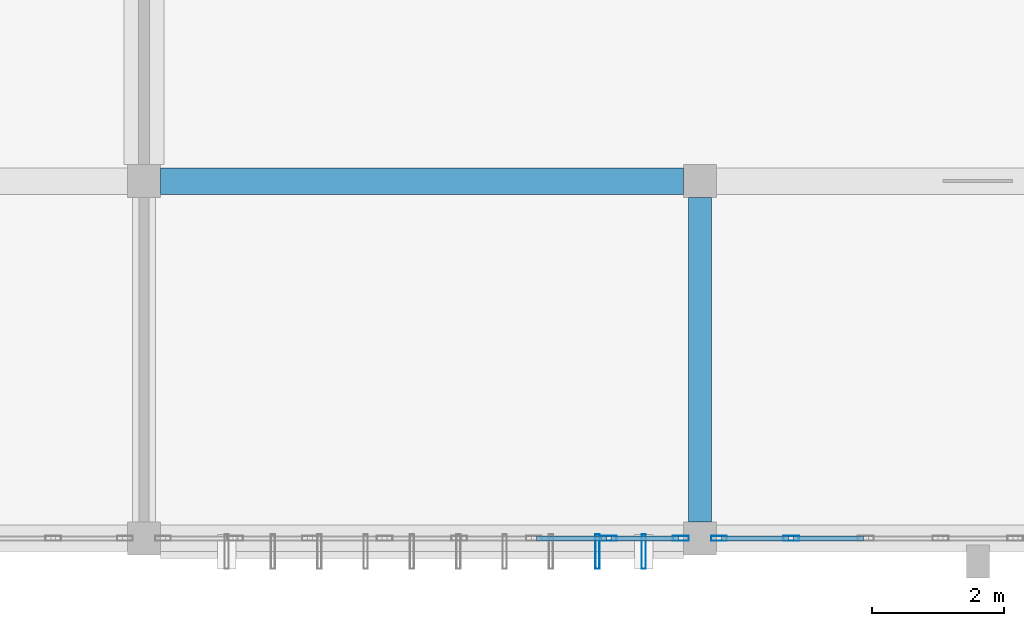
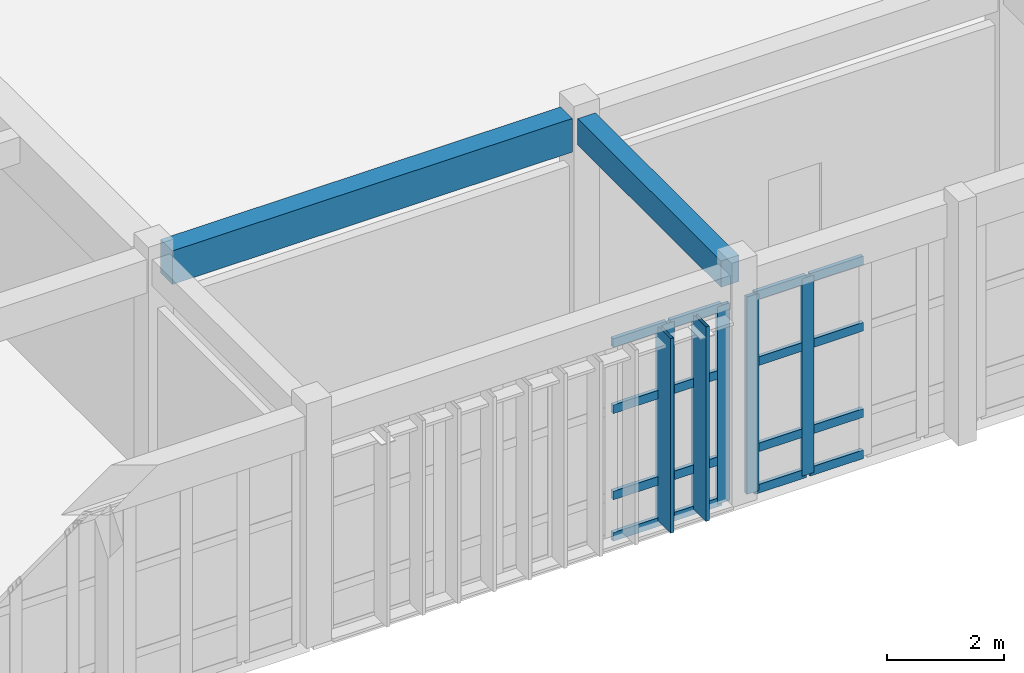
# One storey, part 28 of 93: 22 members, 2 beams, 2 elements without a shape of their own.
"""IFC4 building model written with IfcOpenShell, lengths in metres."""

from ifc_helpers import new_model, si_unit, direction, frame, origin, origin_2d, place, context, subcontext, project, spatial, rectangle, hollow_rectangle, extrude, material, layer, layer_set, material_profile, profile_set, type_object, element, aggregate, save


model = new_model("IFC4")

# Units and contexts
model_context = context("Model", 3, precision=1e-05, world=origin(), true_north=direction((0.0, 1.0)))
body_context = subcontext(model_context, "Body", "Model", "MODEL_VIEW")
ifc_project = project(units=[si_unit("LENGTHUNIT", "METRE"), si_unit("AREAUNIT", "SQUARE_METRE"), si_unit("VOLUMEUNIT", "CUBIC_METRE"), si_unit("PLANEANGLEUNIT", "RADIAN"), si_unit("MASSUNIT", "GRAM", prefix="KILO")], contexts=[model_context])

# Site, building, storey
site_placement = place(None, origin())
site = spatial("IfcSite", under=ifc_project, at=site_placement, CompositionType="ELEMENT")
building_placement = place(site_placement, origin())
building = spatial("IfcBuilding", under=site, at=building_placement, Name="Krzemoval Escarpment Law Courts", CompositionType="ELEMENT")
storey_placement = place(building_placement, frame((0.0, 0.0, 10.199951171875)))
storey = spatial("IfcBuildingStorey", under=building, at=storey_placement, Name="L02", CompositionType="ELEMENT", Elevation=10.199951171875)

# Beams
ifc_material_1 = material(Name="Concrete C40/50", Category="concrete")
ifc_material_profile_1 = material_profile(ifc_material_1, rectangle(XDim=0.35009765625, YDim=0.550048828125, at=origin_2d()), Name="RCB 350x550")
ifc_profile_set_1 = profile_set([ifc_material_profile_1], Name="Concrete C40/50")
beam_type_1 = type_object("IfcBeamType", Name="BM-RC-350x550", PredefinedType="BEAM", material=ifc_profile_set_1)
beam_1_placement = place(storey_placement, frame((126.0, 0.25, 4.545166015625), z_axis=(0.0, 1.0, 0.0), x_axis=(-1.0, 0.0, 0.0)))
element("IfcBeam", 1, at=beam_1_placement, inside=storey, type_object=beam_type_1, Name="Beam FG-L02-1956", PredefinedType="BEAM", context=body_context, shape_type="SweptSolid", body=[
    extrude(rectangle(XDim=0.35009765625, YDim=0.550048828125, at=origin_2d()), origin(), (0.0, 0.0, 1.0), 4.89990234375),
])
ifc_material_2 = material(Name="Concrete C40/50", Category="concrete")
ifc_material_profile_2 = material_profile(ifc_material_2, rectangle(XDim=0.39990234375, YDim=0.699951171875, at=origin_2d()), Name="RCB 400x700")
ifc_profile_set_2 = profile_set([ifc_material_profile_2], Name="Concrete C40/50")
beam_type_2 = type_object("IfcBeamType", Name="BM-RC-400x700", PredefinedType="BEAM", material=ifc_profile_set_2)
beam_2_placement = place(storey_placement, frame((117.85009765625, 5.39990234375, 4.469970703125), z_axis=(1.0, 0.0, 0.0), x_axis=(0.0, 1.0, 0.0)))
element("IfcBeam", 2, at=beam_2_placement, inside=storey, type_object=beam_type_2, Name="Beam FG-L02-1734", PredefinedType="BEAM", context=body_context, shape_type="SweptSolid", body=[
    extrude(rectangle(XDim=0.39990234375, YDim=0.699951171875, at=origin_2d()), origin(), (0.0, 0.0, 1.0), 7.89990234375),
])

# Curtain wall, members
ifc_material_3 = material(Name="Aluminium 6063-T6", Category="aluminium")
ifc_layer = layer(ifc_material_3, 0.239990234375)
ifc_layer_set = layer_set([ifc_layer], Name="Aluminium 6063-T6")
curtain_wall_type = type_object("IfcCurtainWallType", Name="CW-LIBR-4800", PredefinedType="USERDEFINED", material=ifc_layer_set)
curtain_wall_1_placement = place(storey_placement, origin())
curtain_wall_1 = element("IfcCurtainWall", 3, at=curtain_wall_1_placement, inside=storey, type_object=curtain_wall_type, Name="Unitised Curtain Wall FCW-L02-083", ObjectType="UNITISED_CURTAIN_WALL", PredefinedType="USERDEFINED")
ifc_material_4 = material(Name="Aluminium 6063-T6", Category="aluminium")
ifc_material_profile_3 = material_profile(ifc_material_4, hollow_rectangle(XDim=0.074951171875, YDim=0.239990234375, WallThickness=0.0048828125, at=origin_2d()), Name="ALU M75x240")
ifc_profile_set_3 = profile_set([ifc_material_profile_3], Name="Aluminium 6063-T6")
member_type_1 = type_object("IfcMemberType", Name="CWM-75x240", PredefinedType="MULLION", material=ifc_profile_set_3)
member_1_placement = place(storey_placement, frame((127.378662109375, 0.0, 0.0), z_axis=(0.0, 0.0, 1.0), x_axis=(0.0, -1.0, 0.0)))
member_1 = element("IfcMember", 4, at=member_1_placement, type_object=member_type_1, Name="FCW-L02-083 mullion 7", PredefinedType="MULLION", context=body_context, shape_type="SweptSolid", body=[
    extrude(hollow_rectangle(XDim=0.074951171875, YDim=0.239990234375, WallThickness=0.0048828125, at=origin_2d()), origin(), (0.0, 0.0, 1.0), 4.1201171875),
])
member_2_placement = place(storey_placement, frame((126.28759765625, 0.0, 0.0), z_axis=(0.0, 0.0, 1.0), x_axis=(0.0, -1.0, 0.0)))
member_2 = element("IfcMember", 5, at=member_2_placement, type_object=member_type_1, Name="FCW-L02-083 mullion 8", PredefinedType="MULLION", context=body_context, shape_type="SweptSolid", body=[
    extrude(hollow_rectangle(XDim=0.074951171875, YDim=0.239990234375, WallThickness=0.0048828125, at=origin_2d()), origin(), (0.0, 0.0, 1.0), 4.1201171875),
])

curtain_wall_2_placement = place(storey_placement, origin())
curtain_wall_2 = element("IfcCurtainWall", 6, at=curtain_wall_2_placement, inside=storey, type_object=curtain_wall_type, Name="Unitised Curtain Wall FCW-L02-084", ObjectType="UNITISED_CURTAIN_WALL", PredefinedType="USERDEFINED")
member_3_placement = place(storey_placement, frame((125.71240234375, 0.0, 0.0), z_axis=(0.0, 0.0, 1.0), x_axis=(0.0, -1.0, 0.0)))
member_3 = element("IfcMember", 7, at=member_3_placement, type_object=member_type_1, Name="FCW-L02-084 mullion 1", PredefinedType="MULLION", context=body_context, shape_type="SweptSolid", body=[
    extrude(hollow_rectangle(XDim=0.074951171875, YDim=0.239990234375, WallThickness=0.0048828125, at=origin_2d()), origin(), (0.0, 0.0, 1.0), 4.1201171875),
])
member_4_placement = place(storey_placement, frame((124.621337890625, 0.0, 0.0), z_axis=(0.0, 0.0, 1.0), x_axis=(0.0, -1.0, 0.0)))
member_4 = element("IfcMember", 8, at=member_4_placement, type_object=member_type_1, Name="FCW-L02-084 mullion 2", PredefinedType="MULLION", context=body_context, shape_type="SweptSolid", body=[
    extrude(hollow_rectangle(XDim=0.074951171875, YDim=0.239990234375, WallThickness=0.0048828125, at=origin_2d()), origin(), (0.0, 0.0, 1.0), 4.1201171875),
])

# Member
ifc_material_5 = material(Name="Aluminium 6063-T6", Category="aluminium")
ifc_material_profile_4 = material_profile(ifc_material_5, hollow_rectangle(XDim=0.074951171875, YDim=0.179931640625, WallThickness=0.0048828125, at=origin_2d()), Name="ALU T75x180")
ifc_profile_set_4 = profile_set([ifc_material_profile_4], Name="Aluminium 6063-T6")
member_type_2 = type_object("IfcMemberType", Name="CWT-75x180", PredefinedType="USERDEFINED", material=ifc_profile_set_4)
member_5_placement = place(storey_placement, frame((128.4697265625, 0.0, 0.03759765625), z_axis=(-1.0, 0.0, 0.0), x_axis=(0.0, -1.0, 0.0)))
member_5 = element("IfcMember", 9, at=member_5_placement, type_object=member_type_2, Name="FCW-L02-083 transom 6.1", ObjectType="TRANSOM", PredefinedType="USERDEFINED", context=body_context, shape_type="SweptSolid", body=[
    extrude(hollow_rectangle(XDim=0.074951171875, YDim=0.179931640625, WallThickness=0.0048828125, at=origin_2d()), origin(), (0.0, 0.0, 1.0), 1.0537109375),
])

member_6_placement = place(storey_placement, frame((128.4697265625, 0.0, 0.900146484375), z_axis=(-1.0, 0.0, 0.0), x_axis=(0.0, -1.0, 0.0)))
member_6 = element("IfcMember", 10, at=member_6_placement, type_object=member_type_2, Name="FCW-L02-083 transom 6.2", ObjectType="TRANSOM", PredefinedType="USERDEFINED", context=body_context, shape_type="SweptSolid", body=[
    extrude(hollow_rectangle(XDim=0.074951171875, YDim=0.179931640625, WallThickness=0.0048828125, at=origin_2d()), origin(), (0.0, 0.0, 1.0), 1.0537109375),
])

member_7_placement = place(storey_placement, frame((128.4697265625, 0.0, 2.699951171875), z_axis=(-1.0, 0.0, 0.0), x_axis=(0.0, -1.0, 0.0)))
member_7 = element("IfcMember", 11, at=member_7_placement, type_object=member_type_2, Name="FCW-L02-083 transom 6.3", ObjectType="TRANSOM", PredefinedType="USERDEFINED", context=body_context, shape_type="SweptSolid", body=[
    extrude(hollow_rectangle(XDim=0.074951171875, YDim=0.179931640625, WallThickness=0.0048828125, at=origin_2d()), origin(), (0.0, 0.0, 1.0), 1.0537109375),
])

member_8_placement = place(storey_placement, frame((128.4697265625, 0.0, 4.08251953125), z_axis=(-1.0, 0.0, 0.0), x_axis=(0.0, -1.0, 0.0)))
member_8 = element("IfcMember", 12, at=member_8_placement, type_object=member_type_2, Name="FCW-L02-083 transom 6.4", ObjectType="TRANSOM", PredefinedType="USERDEFINED", context=body_context, shape_type="SweptSolid", body=[
    extrude(hollow_rectangle(XDim=0.074951171875, YDim=0.179931640625, WallThickness=0.0048828125, at=origin_2d()), origin(), (0.0, 0.0, 1.0), 1.0537109375),
])

member_9_placement = place(storey_placement, frame((127.341064453125, 0.0, 0.03759765625), z_axis=(-1.0, 0.0, 0.0), x_axis=(0.0, -1.0, 0.0)))
member_9 = element("IfcMember", 13, at=member_9_placement, type_object=member_type_2, Name="FCW-L02-083 transom 7.1", ObjectType="TRANSOM", PredefinedType="USERDEFINED", context=body_context, shape_type="SweptSolid", body=[
    extrude(hollow_rectangle(XDim=0.074951171875, YDim=0.179931640625, WallThickness=0.0048828125, at=origin_2d()), origin(), (0.0, 0.0, 1.0), 1.01611328125),
])

member_10_placement = place(storey_placement, frame((127.341064453125, 0.0, 0.900146484375), z_axis=(-1.0, 0.0, 0.0), x_axis=(0.0, -1.0, 0.0)))
member_10 = element("IfcMember", 14, at=member_10_placement, type_object=member_type_2, Name="FCW-L02-083 transom 7.2", ObjectType="TRANSOM", PredefinedType="USERDEFINED", context=body_context, shape_type="SweptSolid", body=[
    extrude(hollow_rectangle(XDim=0.074951171875, YDim=0.179931640625, WallThickness=0.0048828125, at=origin_2d()), origin(), (0.0, 0.0, 1.0), 1.01611328125),
])

member_11_placement = place(storey_placement, frame((127.341064453125, 0.0, 2.699951171875), z_axis=(-1.0, 0.0, 0.0), x_axis=(0.0, -1.0, 0.0)))
member_11 = element("IfcMember", 15, at=member_11_placement, type_object=member_type_2, Name="FCW-L02-083 transom 7.3", ObjectType="TRANSOM", PredefinedType="USERDEFINED", context=body_context, shape_type="SweptSolid", body=[
    extrude(hollow_rectangle(XDim=0.074951171875, YDim=0.179931640625, WallThickness=0.0048828125, at=origin_2d()), origin(), (0.0, 0.0, 1.0), 1.01611328125),
])

member_12_placement = place(storey_placement, frame((127.341064453125, 0.0, 4.08251953125), z_axis=(-1.0, 0.0, 0.0), x_axis=(0.0, -1.0, 0.0)))
member_12 = element("IfcMember", 16, at=member_12_placement, type_object=member_type_2, Name="FCW-L02-083 transom 7.4", ObjectType="TRANSOM", PredefinedType="USERDEFINED", context=body_context, shape_type="SweptSolid", body=[
    extrude(hollow_rectangle(XDim=0.074951171875, YDim=0.179931640625, WallThickness=0.0048828125, at=origin_2d()), origin(), (0.0, 0.0, 1.0), 1.01611328125),
])

aggregate(curtain_wall_1, [member_1, member_2, member_5, member_6, member_7, member_8, member_9, member_10, member_11, member_12])

member_13_placement = place(storey_placement, frame((125.675048828125, 0.0, 0.03759765625), z_axis=(-1.0, 0.0, 0.0), x_axis=(0.0, -1.0, 0.0)))
member_13 = element("IfcMember", 17, at=member_13_placement, type_object=member_type_2, Name="FCW-L02-084 transom 1.1", ObjectType="TRANSOM", PredefinedType="USERDEFINED", context=body_context, shape_type="SweptSolid", body=[
    extrude(hollow_rectangle(XDim=0.074951171875, YDim=0.179931640625, WallThickness=0.0048828125, at=origin_2d()), origin(), (0.0, 0.0, 1.0), 1.01611328125),
])

member_14_placement = place(storey_placement, frame((125.675048828125, 0.0, 0.900146484375), z_axis=(-1.0, 0.0, 0.0), x_axis=(0.0, -1.0, 0.0)))
member_14 = element("IfcMember", 18, at=member_14_placement, type_object=member_type_2, Name="FCW-L02-084 transom 1.2", ObjectType="TRANSOM", PredefinedType="USERDEFINED", context=body_context, shape_type="SweptSolid", body=[
    extrude(hollow_rectangle(XDim=0.074951171875, YDim=0.179931640625, WallThickness=0.0048828125, at=origin_2d()), origin(), (0.0, 0.0, 1.0), 1.01611328125),
])

member_15_placement = place(storey_placement, frame((125.675048828125, 0.0, 2.699951171875), z_axis=(-1.0, 0.0, 0.0), x_axis=(0.0, -1.0, 0.0)))
member_15 = element("IfcMember", 19, at=member_15_placement, type_object=member_type_2, Name="FCW-L02-084 transom 1.3", ObjectType="TRANSOM", PredefinedType="USERDEFINED", context=body_context, shape_type="SweptSolid", body=[
    extrude(hollow_rectangle(XDim=0.074951171875, YDim=0.179931640625, WallThickness=0.0048828125, at=origin_2d()), origin(), (0.0, 0.0, 1.0), 1.01611328125),
])

member_16_placement = place(storey_placement, frame((125.675048828125, 0.0, 4.08251953125), z_axis=(-1.0, 0.0, 0.0), x_axis=(0.0, -1.0, 0.0)))
member_16 = element("IfcMember", 20, at=member_16_placement, type_object=member_type_2, Name="FCW-L02-084 transom 1.4", ObjectType="TRANSOM", PredefinedType="USERDEFINED", context=body_context, shape_type="SweptSolid", body=[
    extrude(hollow_rectangle(XDim=0.074951171875, YDim=0.179931640625, WallThickness=0.0048828125, at=origin_2d()), origin(), (0.0, 0.0, 1.0), 1.01611328125),
])

member_17_placement = place(storey_placement, frame((124.583984375, 0.0, 0.03759765625), z_axis=(-1.0, 0.0, 0.0), x_axis=(0.0, -1.0, 0.0)))
member_17 = element("IfcMember", 21, at=member_17_placement, type_object=member_type_2, Name="FCW-L02-084 transom 2.1", ObjectType="TRANSOM", PredefinedType="USERDEFINED", context=body_context, shape_type="SweptSolid", body=[
    extrude(hollow_rectangle(XDim=0.074951171875, YDim=0.179931640625, WallThickness=0.0048828125, at=origin_2d()), origin(), (0.0, 0.0, 1.0), 1.0537109375),
])

member_18_placement = place(storey_placement, frame((124.583984375, 0.0, 0.900146484375), z_axis=(-1.0, 0.0, 0.0), x_axis=(0.0, -1.0, 0.0)))
member_18 = element("IfcMember", 22, at=member_18_placement, type_object=member_type_2, Name="FCW-L02-084 transom 2.2", ObjectType="TRANSOM", PredefinedType="USERDEFINED", context=body_context, shape_type="SweptSolid", body=[
    extrude(hollow_rectangle(XDim=0.074951171875, YDim=0.179931640625, WallThickness=0.0048828125, at=origin_2d()), origin(), (0.0, 0.0, 1.0), 1.0537109375),
])

member_19_placement = place(storey_placement, frame((124.583984375, 0.0, 2.699951171875), z_axis=(-1.0, 0.0, 0.0), x_axis=(0.0, -1.0, 0.0)))
member_19 = element("IfcMember", 23, at=member_19_placement, type_object=member_type_2, Name="FCW-L02-084 transom 2.3", ObjectType="TRANSOM", PredefinedType="USERDEFINED", context=body_context, shape_type="SweptSolid", body=[
    extrude(hollow_rectangle(XDim=0.074951171875, YDim=0.179931640625, WallThickness=0.0048828125, at=origin_2d()), origin(), (0.0, 0.0, 1.0), 1.0537109375),
])

member_20_placement = place(storey_placement, frame((124.583984375, 0.0, 4.08251953125), z_axis=(-1.0, 0.0, 0.0), x_axis=(0.0, -1.0, 0.0)))
member_20 = element("IfcMember", 24, at=member_20_placement, type_object=member_type_2, Name="FCW-L02-084 transom 2.4", ObjectType="TRANSOM", PredefinedType="USERDEFINED", context=body_context, shape_type="SweptSolid", body=[
    extrude(hollow_rectangle(XDim=0.074951171875, YDim=0.179931640625, WallThickness=0.0048828125, at=origin_2d()), origin(), (0.0, 0.0, 1.0), 1.0537109375),
])

aggregate(curtain_wall_2, [member_3, member_4, member_13, member_14, member_15, member_16, member_17, member_18, member_19, member_20])

# Members
ifc_material_6 = material(Name="Anodised Aluminium Alloy 6063-T6", Category="aluminium")
ifc_material_profile_5 = material_profile(ifc_material_6, hollow_rectangle(XDim=0.06494140625, YDim=0.52001953125, WallThickness=0.00439453125, at=origin_2d()), Name="ALU LVR 65x520")
ifc_profile_set_5 = profile_set([ifc_material_profile_5], Name="Anodised Aluminium Alloy 6063-T6")
member_type_3 = type_object("IfcMemberType", Name="LVR-ALU-520", PredefinedType="USERDEFINED", material=ifc_profile_set_5)
for number, where, z_axis, x_axis, name in (
    (25, (125.14990234375, -0.199951171875, 0.06005859375), (0.0, 0.0, 1.0), (1.0, 0.0, 0.0), "Sunshade Louvre Fin FLV-L02-0545"),
    (26, (124.449951171875, -0.199951171875, 0.06005859375), (0.0, 0.0, 1.0), (1.0, 0.0, 0.0), "Sunshade Louvre Fin FLV-L02-0546"),
):
    element("IfcMember", number, at=place(storey_placement, frame(where, z_axis=z_axis, x_axis=x_axis)), inside=storey, type_object=member_type_3, Name=name, ObjectType="SUNSHADE_LOUVRE", PredefinedType="USERDEFINED", context=body_context, shape_type="SweptSolid", body=[
        extrude(hollow_rectangle(XDim=0.06494140625, YDim=0.52001953125, WallThickness=0.00439453125, at=origin_2d()), origin(), (0.0, 0.0, 1.0), 4.06005859375),
    ])

save(model, "model.ifc")
